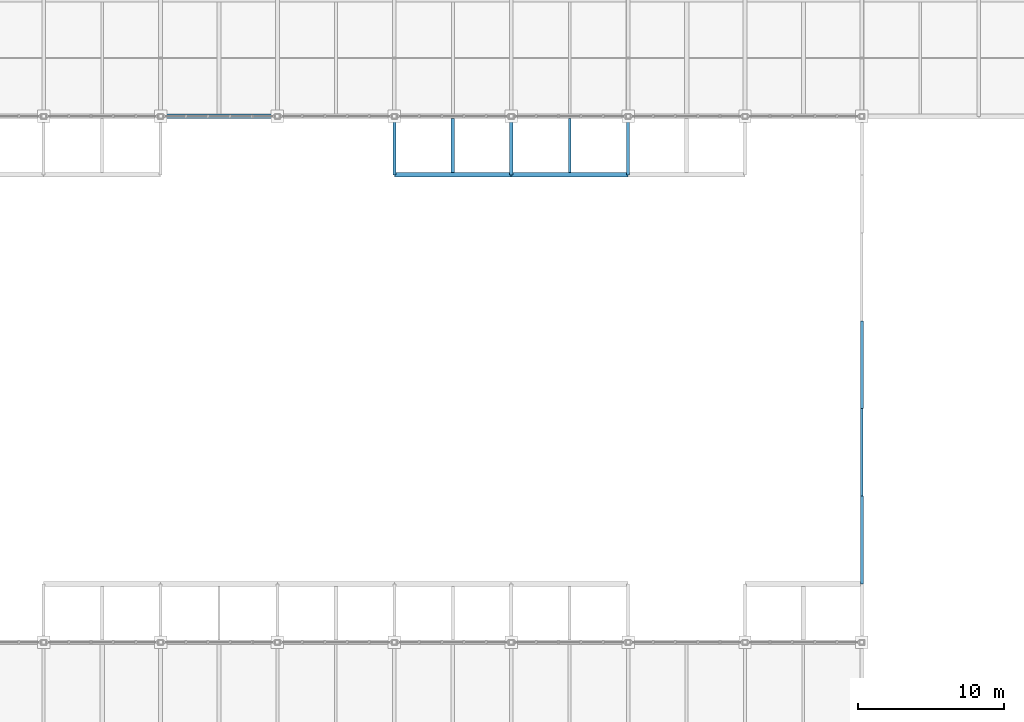
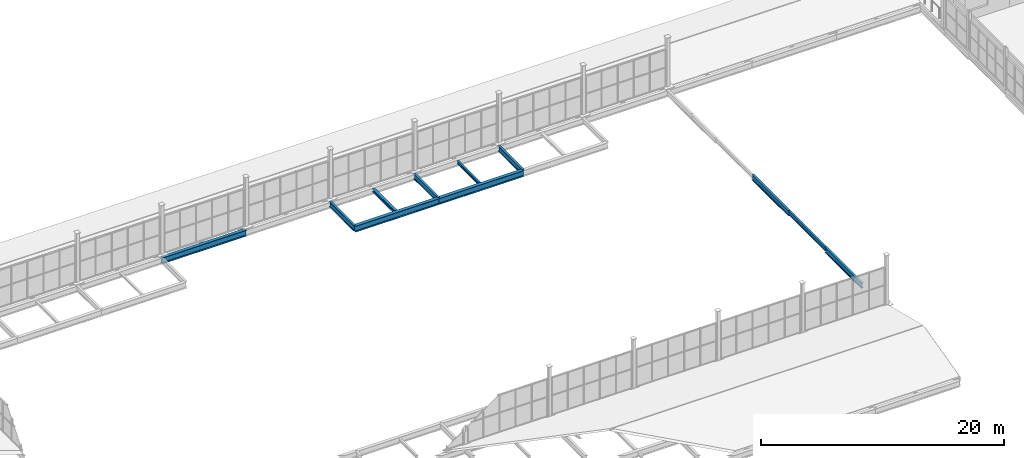
# One storey, part 46 of 96: 11 beams.
"""IFC4 building model written with IfcOpenShell, lengths in metres."""

from ifc_helpers import new_model, si_unit, direction, frame, origin, origin_2d, place, context, subcontext, project, spatial, i_section, extrude, material, material_profile, profile_set, type_object, element, save


model = new_model("IFC4")

# Units and contexts
model_context = context("Model", 3, precision=1e-05, world=origin(), true_north=direction((0.0, 1.0)))
body_context = subcontext(model_context, "Body", "Model", "MODEL_VIEW")
ifc_project = project(units=[si_unit("LENGTHUNIT", "METRE"), si_unit("AREAUNIT", "SQUARE_METRE"), si_unit("VOLUMEUNIT", "CUBIC_METRE"), si_unit("PLANEANGLEUNIT", "RADIAN"), si_unit("MASSUNIT", "GRAM", prefix="KILO")], contexts=[model_context])

# Site, building, storey
site_placement = place(None, origin())
site = spatial("IfcSite", under=ifc_project, at=site_placement, CompositionType="ELEMENT")
building_placement = place(site_placement, origin())
building = spatial("IfcBuilding", under=site, at=building_placement, Name="Verrall Gate Interchange", CompositionType="ELEMENT")
storey_placement = place(building_placement, frame((0.0, 0.0, 11.39990234375)))
storey = spatial("IfcBuildingStorey", under=building, at=storey_placement, Name="L03", CompositionType="ELEMENT", Elevation=11.39990234375)

# Beams
ifc_material_1 = material(Name="Structural Steel CSA G40.21 350WT Cat 4", Category="steel")
ifc_material_profile_1 = material_profile(ifc_material_1, i_section(OverallWidth=0.323974609375, OverallDepth=0.611083984375, WebThickness=0.0126953125, FlangeThickness=0.01904296875, FilletRadius=0.014892578125, at=origin_2d()), Name="W610x155")
ifc_profile_set_1 = profile_set([ifc_material_profile_1], Name="Structural Steel CSA G40.21 350WT Cat 4")
beam_type_1 = type_object("IfcBeamType", Name="B-08 Structural Beam W610x155", PredefinedType="BEAM", material=ifc_profile_set_1)
for number, where, z_axis, x_axis, name in (
    (1, (76.0, 44.0, -0.635498046875), (1.0, 0.0, 0.0), (0.0, 1.0, 0.0), "L03 Girder BM-L03-2094 (B-08)"),
    (2, (84.0, 44.0, -0.635498046875), (1.0, 0.0, 0.0), (0.0, 1.0, 0.0), "L03 Girder BM-L03-2095 (B-08)"),
    (3, (60.0, 48.0, -0.635498046875), (1.0, 0.0, 0.0), (0.0, 1.0, 0.0), "L03 Girder BM-L03-2113 (B-08)"),
):
    element("IfcBeam", number, at=place(storey_placement, frame(where, z_axis=z_axis, x_axis=x_axis)), inside=storey, type_object=beam_type_1, Name=name, PredefinedType="BEAM", context=body_context, shape_type="SweptSolid", body=[
        extrude(i_section(OverallWidth=0.323974609375, OverallDepth=0.611083984375, WebThickness=0.0126953125, FlangeThickness=0.01904296875, FilletRadius=0.014892578125, at=origin_2d()), origin(), (0.0, 0.0, 1.0), 8.0),
    ])
ifc_material_2 = material(Name="Structural Steel CSA G40.21 350W", Category="steel")
ifc_material_profile_2 = material_profile(ifc_material_2, i_section(OverallWidth=0.2109375, OverallDepth=0.5390625, WebThickness=0.01171875, FlangeThickness=0.018798828125, FilletRadius=0.013916015625, at=origin_2d()), Name="W530x109")
ifc_profile_set_2 = profile_set([ifc_material_profile_2], Name="Structural Steel CSA G40.21 350W")
beam_type_2 = type_object("IfcBeamType", Name="B-10 Structural Beam W530x109", PredefinedType="BEAM", material=ifc_profile_set_2)
for number, where, z_axis, x_axis, name in (
    (4, (76.0, 44.0, -0.599365234375), (0.0, 1.0, 0.0), (-1.0, 0.0, 0.0), "L03 Girder BM-L03-2294 (B-10)"),
    (5, (84.0, 44.0, -0.599365234375), (0.0, 1.0, 0.0), (-1.0, 0.0, 0.0), "L03 Girder BM-L03-2299 (B-10)"),
    (6, (92.0, 44.0, -0.599365234375), (0.0, 1.0, 0.0), (-1.0, 0.0, 0.0), "L03 Girder BM-L03-2304 (B-10)"),
):
    element("IfcBeam", number, at=place(storey_placement, frame(where, z_axis=z_axis, x_axis=x_axis)), inside=storey, type_object=beam_type_2, Name=name, PredefinedType="BEAM", context=body_context, shape_type="SweptSolid", body=[
        extrude(i_section(OverallWidth=0.2109375, OverallDepth=0.5390625, WebThickness=0.01171875, FlangeThickness=0.018798828125, FilletRadius=0.013916015625, at=origin_2d()), origin(), (0.0, 0.0, 1.0), 4.0),
    ])
for number, where, z_axis, x_axis, name in (
    (7, (108.0, 16.0, -0.599365234375), (0.0, 1.0, 0.0), (-1.0, 0.0, 0.0), "L03 Girder BM-L03-2314 (B-10)"),
    (8, (108.0, 28.0, -0.599365234375), (0.0, 1.0, 0.0), (-1.0, 0.0, 0.0), "L03 Girder BM-L03-2316 (B-10)"),
):
    element("IfcBeam", number, at=place(storey_placement, frame(where, z_axis=z_axis, x_axis=x_axis)), inside=storey, type_object=beam_type_2, Name=name, PredefinedType="BEAM", context=body_context, shape_type="SweptSolid", body=[
        extrude(i_section(OverallWidth=0.2109375, OverallDepth=0.5390625, WebThickness=0.01171875, FlangeThickness=0.018798828125, FilletRadius=0.013916015625, at=origin_2d()), origin(), (0.0, 0.0, 1.0), 6.0),
    ])
ifc_material_3 = material(Name="Structural Steel CSA G40.21 350W", Category="steel")
ifc_material_profile_3 = material_profile(ifc_material_3, i_section(OverallWidth=0.178955078125, OverallDepth=0.409912109375, WebThickness=0.0087890625, FlangeThickness=0.014404296875, FilletRadius=0.011962890625, at=origin_2d()), Name="W410x67")
ifc_profile_set_3 = profile_set([ifc_material_profile_3], Name="Structural Steel CSA G40.21 350W")
beam_type_3 = type_object("IfcBeamType", Name="B-12 Structural Beam W410x67", PredefinedType="BEAM", material=ifc_profile_set_3)
beam_1_placement = place(storey_placement, frame((108.0, 22.0, -0.534912109375), z_axis=(0.0, 1.0, 0.0), x_axis=(-1.0, 0.0, 0.0)))
element("IfcBeam", 9, at=beam_1_placement, inside=storey, type_object=beam_type_3, Name="L03 Girder BM-L03-2315 (B-12)", PredefinedType="BEAM", context=body_context, shape_type="SweptSolid", body=[
    extrude(i_section(OverallWidth=0.178955078125, OverallDepth=0.409912109375, WebThickness=0.0087890625, FlangeThickness=0.014404296875, FilletRadius=0.011962890625, at=origin_2d()), origin(), (0.0, 0.0, 1.0), 6.0),
])
ifc_material_4 = material(Name="Structural Steel CSA G40.21 350W", Category="steel")
ifc_material_profile_4 = material_profile(ifc_material_4, i_section(OverallWidth=0.25390625, OverallDepth=0.305908203125, WebThickness=0.0087890625, FlangeThickness=0.0146484375, FilletRadius=0.012939453125, at=origin_2d()), Name="W310x79")
ifc_profile_set_4 = profile_set([ifc_material_profile_4], Name="Structural Steel CSA G40.21 350W")
beam_type_4 = type_object("IfcBeamType", Name="J-03 Floor Joist W310x79", PredefinedType="JOIST", material=ifc_profile_set_4)
beam_2_placement = place(storey_placement, frame((80.0, 44.162109375, -0.48291015625), z_axis=(0.0, 1.0, 0.0), x_axis=(-1.0, 0.0, 0.0)))
element("IfcBeam", 10, at=beam_2_placement, inside=storey, type_object=beam_type_4, Name="L03 Secondary Floor Joist JST-L03-2471", PredefinedType="JOIST", context=body_context, shape_type="SweptSolid", body=[
    extrude(i_section(OverallWidth=0.25390625, OverallDepth=0.305908203125, WebThickness=0.0087890625, FlangeThickness=0.0146484375, FilletRadius=0.012939453125, at=origin_2d()), origin(), (0.0, 0.0, 1.0), 3.67578125),
])
ifc_material_5 = material(Name="Structural Steel CSA G40.21 350W", Category="steel")
ifc_material_profile_5 = material_profile(ifc_material_5, i_section(OverallWidth=0.1650390625, OverallDepth=0.31005859375, WebThickness=0.005859375, FlangeThickness=0.009765625, FilletRadius=0.010009765625, at=origin_2d()), Name="W310x39")
ifc_profile_set_5 = profile_set([ifc_material_profile_5], Name="Structural Steel CSA G40.21 350W")
beam_type_5 = type_object("IfcBeamType", Name="J-04 Floor Joist W310x39", PredefinedType="JOIST", material=ifc_profile_set_5)
beam_3_placement = place(storey_placement, frame((88.0, 44.162109375, -0.48486328125), z_axis=(0.0, 1.0, 0.0), x_axis=(-1.0, 0.0, 0.0)))
element("IfcBeam", 11, at=beam_3_placement, inside=storey, type_object=beam_type_5, Name="L03 Secondary Floor Joist JST-L03-2472", PredefinedType="JOIST", context=body_context, shape_type="SweptSolid", body=[
    extrude(i_section(OverallWidth=0.1650390625, OverallDepth=0.31005859375, WebThickness=0.005859375, FlangeThickness=0.009765625, FilletRadius=0.010009765625, at=origin_2d()), origin(), (0.0, 0.0, 1.0), 3.67578125),
])

save(model, "model.ifc")
